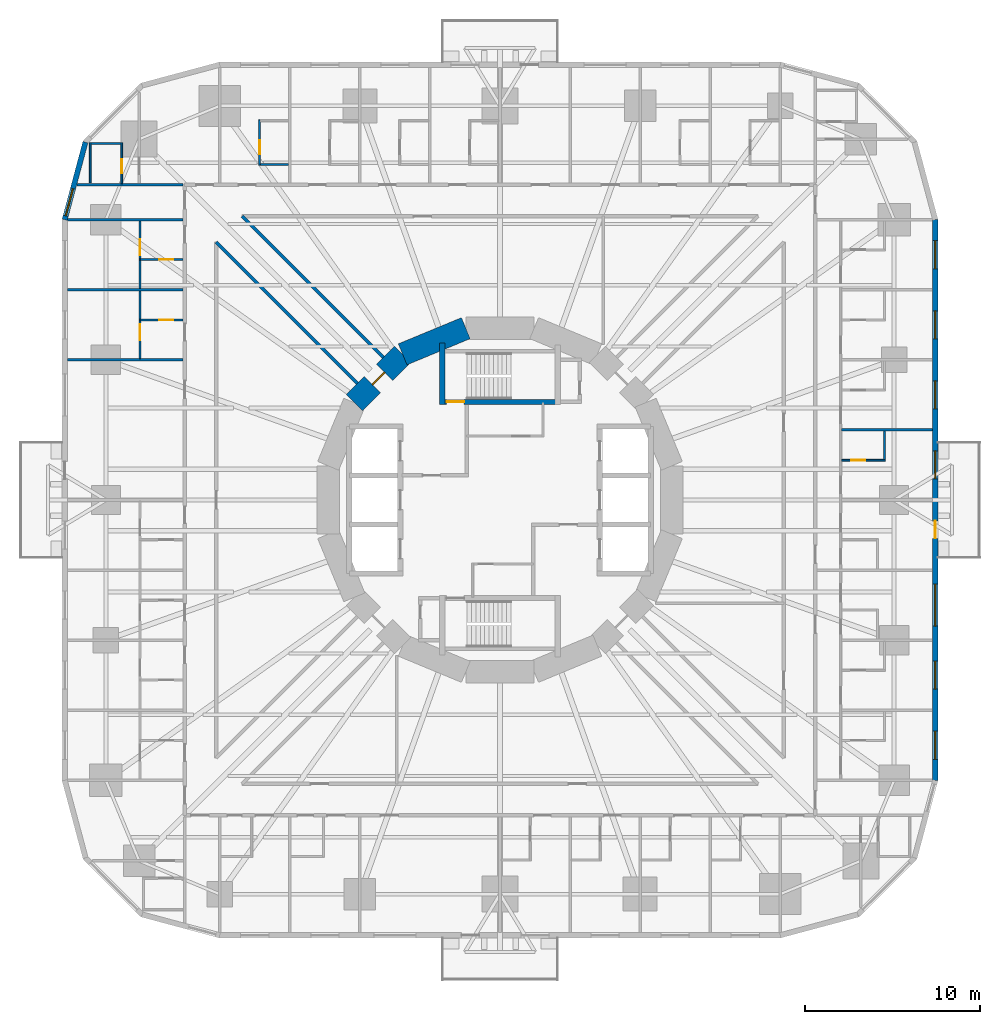
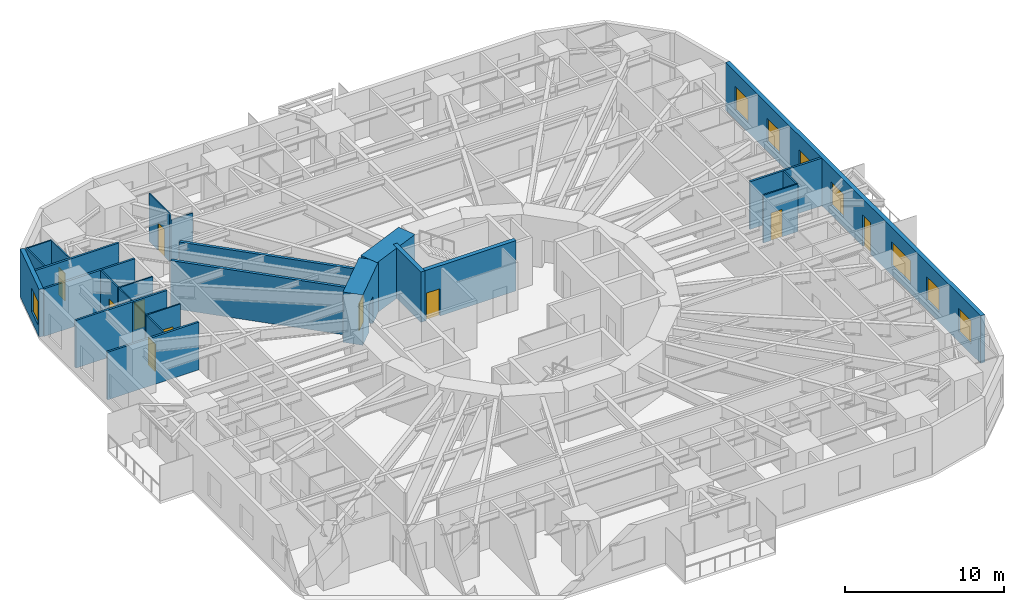
# One storey, part 9 of 14: 26 walls, 10 doors, 8 windows, 18 openings.
"""IFC4 building model written with IfcOpenShell, lengths in metres."""

import ifcopenshell
import ifcopenshell.guid

model = None  # the IFC model being written
_history = None  # IfcOwnerHistory: only IFC2X3 demands one
_inside = {}  # id of a spatial element -> (the spatial element, [elements in it])
_under = {}  # id of a project, library or spatial element -> (it, [spatial elements below it])
_declared = {}  # id of a project -> (the project, [libraries it declares])
_typed = {}  # id of a type object -> (the type object, [elements of that type])
_made_of = {}  # id of a material, layer set ... -> (it, [elements and type objects made of it])


def new_model(schema):
    """Start an empty IFC model of exactly this schema.

    Asked for "IFC4X3", IfcOpenShell would pick the latest addendum, in which some entities
    have other attributes; the version numbers below select the first issue.
    IFC2X3 requires an IfcOwnerHistory on every rooted entity: one is made here for all.
    """
    global model, _history
    if schema == "IFC4X3":
        model = ifcopenshell.file(schema_version=(4, 3, 0, 0))
    else:
        model = ifcopenshell.file(schema=schema)
    _inside.clear()
    _under.clear()
    _declared.clear()
    _typed.clear()
    _made_of.clear()
    _history = None
    if model.schema == "IFC2X3":
        org = make("IfcOrganization", Name="unknown")
        user = make(
            "IfcPersonAndOrganization",
            ThePerson=make("IfcPerson", FamilyName="unknown"),
            TheOrganization=org,
        )
        app = make(
            "IfcApplication",
            ApplicationDeveloper=org,
            Version="unknown",
            ApplicationFullName="unknown",
            ApplicationIdentifier="unknown",
        )
        _history = make(
            "IfcOwnerHistory",
            OwningUser=user,
            OwningApplication=app,
            ChangeAction="ADDED",
            CreationDate=0,
        )
    return model


def make(cls, **values):
    """One entity of the class cls with the attributes given. An attribute that is None is left unset."""
    return model.create_entity(
        cls, **{name: value for name, value in values.items() if value is not None}
    )


def rooted(cls, **values):
    """An entity with a GlobalId (a new one), such as an element, a storey or a relation."""
    return make(cls, GlobalId=ifcopenshell.guid.new(), OwnerHistory=_history, **values)


def si_unit(unit_type, name, prefix=None):
    """IfcSIUnit, for example si_unit("LENGTHUNIT", "METRE", prefix="MILLI")."""
    return make("IfcSIUnit", UnitType=unit_type, Prefix=prefix, Name=name)


def assignment(units):
    """IfcUnitAssignment: the units of a project."""
    return None if units is None else make("IfcUnitAssignment", Units=units)


def point(xyz):
    """IfcCartesianPoint."""
    return None if xyz is None else make("IfcCartesianPoint", Coordinates=xyz)


def direction(xyz):
    """IfcDirection."""
    return None if xyz is None else make("IfcDirection", DirectionRatios=xyz)


def frame(location, z_axis=None, x_axis=None):
    """IfcAxis2Placement3D, a coordinate frame: its origin and axes. An axis left out is left unset."""
    return make(
        "IfcAxis2Placement3D",
        Location=point(location),
        Axis=direction(z_axis),
        RefDirection=direction(x_axis),
    )


def frame_2d(location, x_axis=None):
    """IfcAxis2Placement2D, a coordinate frame in the plane: its origin and x axis."""
    return make(
        "IfcAxis2Placement2D", Location=point(location), RefDirection=direction(x_axis)
    )


def origin():
    """The frame at (0, 0, 0) with its axes left unset."""
    return frame((0.0, 0.0, 0.0))


def place(relative_to, where):
    """IfcLocalPlacement: puts the frame where relative to a parent placement (None: the world)."""
    return make(
        "IfcLocalPlacement", PlacementRelTo=relative_to, RelativePlacement=where
    )


def context(
    kind, dimensions, precision=None, world=None, true_north=None, identifier=None
):
    """IfcGeometricRepresentationContext, for example the 3D "Model" context."""
    return make(
        "IfcGeometricRepresentationContext",
        ContextIdentifier=identifier,
        ContextType=kind,
        CoordinateSpaceDimension=dimensions,
        Precision=precision,
        WorldCoordinateSystem=world,
        TrueNorth=true_north,
    )


def subcontext(parent, identifier, kind, view, scale=None):
    """IfcGeometricRepresentationSubContext, for example "Body" below "Model"."""
    return make(
        "IfcGeometricRepresentationSubContext",
        ContextIdentifier=identifier,
        ContextType=kind,
        ParentContext=parent,
        TargetScale=scale,
        TargetView=view,
    )


def project(units=None, contexts=None):
    """IfcProject with its units and contexts."""
    return rooted(
        "IfcProject",
        Name="project",
        RepresentationContexts=contexts,
        UnitsInContext=assignment(units),
    )


def spatial(cls, under=None, at=None, **own):
    """A site, building, storey or space (cls), placed at a placement, below another one or the project."""
    s = rooted(cls, ObjectPlacement=at, **own)
    if under is not None:
        _under.setdefault(under.id(), (under, []))[1].append(s)
    return s


def profile(cls, at=None, kind="AREA", **sizes):
    """A parametric profile (cls). Its sizes go by their IFC names, for example OverallWidth=200.0."""
    return make(cls, ProfileType=kind, Position=at, **sizes)


def rectangle(**sizes):
    """IfcRectangleProfileDef."""
    return profile("IfcRectangleProfileDef", **sizes)


def extrude(swept, where, along, depth):
    """IfcExtrudedAreaSolid: the profile swept, set in the frame where, extruded along a direction by depth."""
    return make(
        "IfcExtrudedAreaSolid",
        SweptArea=swept,
        Position=where,
        ExtrudedDirection=direction(along),
        Depth=depth,
    )


def shape(context_of_items, identifier, shape_type, items):
    """IfcShapeRepresentation: the items that make up one representation, for example the "Body"."""
    return make(
        "IfcShapeRepresentation",
        ContextOfItems=context_of_items,
        RepresentationIdentifier=identifier,
        RepresentationType=shape_type,
        Items=items,
    )


def material(Name=None, Category=None):
    """IfcMaterial."""
    return make("IfcMaterial", Name=Name, Category=Category)


def layer(
    of_material, thickness, ventilated=None, Name=None, Category=None, Priority=None
):
    """IfcMaterialLayer: one layer of a wall or slab, of a material (None: an air gap)."""
    return make(
        "IfcMaterialLayer",
        Material=of_material,
        LayerThickness=thickness,
        IsVentilated=ventilated,
        Name=Name,
        Category=Category,
        Priority=Priority,
    )


def layer_set(layers, Name=None):
    """IfcMaterialLayerSet."""
    return make("IfcMaterialLayerSet", MaterialLayers=layers, LayerSetName=Name)


def made_of(thing, what):
    """Note that an element or type object is made of a material, layer set ...; save() writes the relation."""
    if what is not None:
        _made_of.setdefault(what.id(), (what, []))[1].append(thing)
    return thing


def type_object(cls, material=None, **own):
    """A type object (cls), such as IfcWallType, which elements share."""
    return made_of(rooted(cls, **own), material)


def element(
    cls,
    number,
    at=None,
    inside=None,
    cuts=None,
    type_object=None,
    material=None,
    context=None,
    identifier="Body",
    shape_type=None,
    held_by="IfcProductDefinitionShape",
    body=None,
    shapes=None,
    **own,
):
    """One element of the class cls, such as IfcWall. Its Tag is "e" and its number.

    at: its placement. inside: the storey or other place that contains it. cuts: it is an
    opening in that element (IfcRelVoidsElement). A single representation is given by context,
    identifier, shape_type and body (its items); several are given by shapes. held_by: the class
    of the entity that holds the representations. save() writes the other relations.
    """
    e = rooted(cls, Tag="e%d" % number, ObjectPlacement=at, **own)
    if body is not None:
        shapes = [shape(context, identifier, shape_type, body)]
    if shapes is not None:
        e.Representation = make(held_by, Representations=shapes)
    if inside is not None:
        _inside.setdefault(inside.id(), (inside, []))[1].append(e)
    if cuts is not None:
        rooted(
            "IfcRelVoidsElement", RelatingBuildingElement=cuts, RelatedOpeningElement=e
        )
    if type_object is not None:
        _typed.setdefault(type_object.id(), (type_object, []))[1].append(e)
    return made_of(e, material)


def fill(opening, filler):
    """IfcRelFillsElement: the door or window that sits in an opening."""
    return rooted(
        "IfcRelFillsElement",
        RelatingOpeningElement=opening,
        RelatedBuildingElement=filler,
    )


def aggregate(whole, parts):
    """IfcRelAggregates: a whole, such as a stair, and the parts it consists of."""
    return rooted("IfcRelAggregates", RelatingObject=whole, RelatedObjects=parts)


def save(model, path):
    """Write the relations noted so far, then the file.

    IfcRelAggregates (storeys below a building ...), IfcRelContainedInSpatialStructure (elements
    in a storey), IfcRelDefinesByType, IfcRelAssociatesMaterial and IfcRelDeclares: one each for
    every whole, place, type object, material and project.
    """
    for whole, parts in _under.values():
        aggregate(whole, parts)
    for where, things in _inside.values():
        rooted(
            "IfcRelContainedInSpatialStructure",
            RelatedElements=things,
            RelatingStructure=where,
        )
    for kind, things in _typed.values():
        rooted("IfcRelDefinesByType", RelatedObjects=things, RelatingType=kind)
    for what, things in _made_of.values():
        rooted("IfcRelAssociatesMaterial", RelatedObjects=things, RelatingMaterial=what)
    for by, libraries in _declared.values():
        rooted("IfcRelDeclares", RelatingContext=by, RelatedDefinitions=libraries)
    model.write(path)


model = new_model("IFC4")

# Units and contexts
model_context = context("Model", 3, precision=1e-05, world=origin(), true_north=direction((0.0, 1.0)))
body_context = subcontext(model_context, "Body", "Model", "MODEL_VIEW")
ifc_project = project(units=[si_unit("LENGTHUNIT", "METRE"), si_unit("AREAUNIT", "SQUARE_METRE"), si_unit("VOLUMEUNIT", "CUBIC_METRE"), si_unit("PLANEANGLEUNIT", "RADIAN"), si_unit("MASSUNIT", "GRAM", prefix="KILO")], contexts=[model_context])

# Site, building, storey
site_placement = place(None, origin())
site = spatial("IfcSite", under=ifc_project, at=site_placement, CompositionType="ELEMENT")
building_placement = place(site_placement, origin())
building = spatial("IfcBuilding", under=site, at=building_placement, Name="Nakasero Lantern House", CompositionType="ELEMENT")
storey_placement = place(building_placement, frame((0.0, 0.0, 46.800048828125)))
storey = spatial("IfcBuildingStorey", under=building, at=storey_placement, Name="L11", CompositionType="ELEMENT", Elevation=46.800048828125)

# Wall, opening, door
ifc_material_1 = material(Name="Concrete C50/60", Category="concrete")
ifc_layer_1 = layer(ifc_material_1, 0.300048828125)
ifc_layer_set_1 = layer_set([ifc_layer_1], Name="Core inner wall 300")
wall_type_1 = type_object("IfcWallType", Name="Core inner wall 300", PredefinedType="SHEAR", material=ifc_layer_set_1)
wall_1_placement = place(storey_placement, frame((-3.449951171875, 5.60009765625, 0.0), z_axis=(0.0, 0.0, 1.0), x_axis=(1.0, 0.0, 0.0)))
wall_1 = element("IfcWall", 1, at=wall_1_placement, inside=storey, type_object=wall_type_1, Name="Core inner wall L11 SN", PredefinedType="SHEAR", context=body_context, shape_type="SweptSolid", body=[
    extrude(rectangle(XDim=6.89990234375, YDim=0.300048828125, at=frame_2d((3.449951171875, 0.0))), origin(), (0.0, 0.0, 1.0), 3.849853515625),
])
opening_1_placement = place(wall_1_placement, frame((0.39990234375, 0.0, 0.0)))
opening_1 = element("IfcOpeningElement", 2, at=opening_1_placement, cuts=wall_1, Name="Opening D05", PredefinedType="OPENING", context=body_context, shape_type="SweptSolid", body=[
    extrude(rectangle(XDim=1.0, YDim=2.10009765625, at=frame_2d((0.5, 1.050048828125))), frame((0.0, 0.169921875, 0.0), z_axis=(0.0, -1.0, 0.0), x_axis=(1.0, 0.0, 0.0)), (0.0, 0.0, 1.0), 0.340087890625),
])
ifc_material_2 = material(Name="Timber C24", Category="wood")
door_type_1 = type_object("IfcDoorType", Name="Core door FD60S 1000", OperationType="SINGLE_SWING_LEFT", PredefinedType="DOOR", material=ifc_material_2)
door_1_placement = place(opening_1_placement, origin())
door_1 = element("IfcDoor", 3, at=door_1_placement, inside=storey, type_object=door_type_1, Name="Door L11 D-ST1", OperationType="SINGLE_SWING_LEFT", OverallHeight=2.10009765625, OverallWidth=1.0, PredefinedType="DOOR", context=body_context, shape_type="SweptSolid", body=[
    extrude(rectangle(XDim=1.0, YDim=2.10009765625, at=frame_2d((0.5, 1.050048828125))), frame((0.0, 0.02490234375, 0.0), z_axis=(0.0, -1.0, 0.0), x_axis=(1.0, 0.0, 0.0)), (0.0, 0.0, 1.0), 0.050048828125),
])
fill(opening_1, door_1)

# Walls
wall_2_placement = place(storey_placement, frame((-3.300048828125, 5.449951171875, 0.0), z_axis=(0.0, 0.0, 1.0), x_axis=(0.0, 1.0, 0.0)))
element("IfcWall", 4, at=wall_2_placement, inside=storey, type_object=wall_type_1, Name="Core inner wall L11 SNW", PredefinedType="SHEAR", context=body_context, shape_type="SweptSolid", body=[
    extrude(rectangle(XDim=3.5, YDim=0.300048828125, at=frame_2d((1.75, 0.0))), origin(), (0.0, 0.0, 1.0), 3.849853515625),
])
ifc_material_3 = material(Name="Concrete C50/60", Category="concrete")
ifc_layer_2 = layer(ifc_material_3, 1.300048828125)
ifc_layer_set_2 = layer_set([ifc_layer_2], Name="Core wall 1300")
wall_type_2 = type_object("IfcWallType", Name="Core wall 1300", PredefinedType="SHEAR", material=ifc_layer_set_2)
wall_3_placement = place(storey_placement, frame((-1.950927734375, 9.807861328125, 0.0), z_axis=(0.0, 0.0, 1.0), x_axis=(-0.923876507187, -0.382690736062, 0.0)))
element("IfcWall", 5, at=wall_3_placement, inside=storey, type_object=wall_type_2, Name="Core wall L11 facet 5", PredefinedType="SHEAR", context=body_context, shape_type="SweptSolid", body=[
    extrude(rectangle(XDim=3.90185546875, YDim=1.300048828125, at=frame_2d((1.950927734375, 0.0))), origin(), (0.0, 0.0, 1.0), 3.849853515625),
])

# Wall, opening, door
wall_4_placement = place(storey_placement, frame((-5.5556640625, 8.314697265625, 0.0), z_axis=(0.0, 0.0, 1.0), x_axis=(-0.707106781187, -0.707106781187, 0.0)))
wall_4 = element("IfcWall", 6, at=wall_4_placement, inside=storey, type_object=wall_type_2, Name="Core wall L11 facet 6", PredefinedType="SHEAR", context=body_context, shape_type="SweptSolid", body=[
    extrude(rectangle(XDim=3.90185546875, YDim=1.300048828125, at=frame_2d((1.950927734375, 0.0))), origin(), (0.0, 0.0, 1.0), 3.849853515625),
])
opening_2_placement = place(wall_4_placement, frame((1.450927734375, 0.0, 0.0)))
opening_2 = element("IfcOpeningElement", 7, at=opening_2_placement, cuts=wall_4, Name="Opening D05", PredefinedType="OPENING", context=body_context, shape_type="SweptSolid", body=[
    extrude(rectangle(XDim=1.0, YDim=2.10009765625, at=frame_2d((0.5, 1.050048828125))), frame((0.0, 0.669921875, 0.0), z_axis=(0.0, -1.0, 0.0), x_axis=(1.0, 0.0, 0.0)), (0.0, 0.0, 1.0), 1.340087890625),
])
door_2_placement = place(opening_2_placement, origin())
door_2 = element("IfcDoor", 8, at=door_2_placement, inside=storey, type_object=door_type_1, Name="Door L11 D-CORE06", OperationType="SINGLE_SWING_LEFT", OverallHeight=2.10009765625, OverallWidth=1.0, PredefinedType="DOOR", context=body_context, shape_type="SweptSolid", body=[
    extrude(rectangle(XDim=1.0, YDim=2.10009765625, at=frame_2d((0.5, 1.050048828125))), frame((0.0, 0.02490234375, 0.0), z_axis=(0.0, -1.0, 0.0), x_axis=(1.0, 0.0, 0.0)), (0.0, 0.0, 1.0), 0.050048828125),
])
fill(opening_2, door_2)

# Walls
ifc_material_4 = material(Name="Blockwork", Category="masonry")
ifc_layer_3 = layer(ifc_material_4, 0.199951171875)
ifc_layer_set_3 = layer_set([ifc_layer_3], Name="Corridor wall 200")
wall_type_3 = type_object("IfcWallType", Name="Corridor wall 200", PredefinedType="PARTITIONING", material=ifc_layer_set_3)
for number, where, z_axis, x_axis, name in (
    (9, (-8.13720703125, 6.65234375, 0.0), (0.0, 0.0, 1.0), (-0.707106781187, 0.707106781187, 0.0), "Corridor wall L11 PS06a"),
    (10, (-6.65234375, 8.13720703125, 0.0), (0.0, 0.0, 1.0), (-0.707106781187, 0.707106781187, 0.0), "Corridor wall L11 PS06b"),
):
    element("IfcWall", number, at=place(storey_placement, frame(where, z_axis=z_axis, x_axis=x_axis)), inside=storey, type_object=wall_type_3, Name=name, PredefinedType="PARTITIONING", context=body_context, shape_type="SweptSolid", body=[
        extrude(rectangle(XDim=11.40234375, YDim=0.199951171875, at=frame_2d((5.701171875, 0.0))), origin(), (0.0, 0.0, 1.0), 3.64990234375),
    ])

# Wall, opening, door
ifc_material_5 = material(Name="Blockwork", Category="masonry")
ifc_layer_4 = layer(ifc_material_5, 0.10009765625)
ifc_layer_set_4 = layer_set([ifc_layer_4], Name="En-suite wall 100")
wall_type_4 = type_object("IfcWallType", Name="En-suite wall 100", PredefinedType="PARTITIONING", material=ifc_layer_set_4)
wall_5_placement = place(storey_placement, frame((19.5, 2.27490234375, 0.0), z_axis=(0.0, 0.0, 1.0), x_axis=(1.0, 0.0, 0.0)))
wall_5 = element("IfcWall", 11, at=wall_5_placement, inside=storey, type_object=wall_type_4, Name="En-suite wall L11 ES0-05", PredefinedType="PARTITIONING", context=body_context, shape_type="SweptSolid", body=[
    extrude(rectangle(XDim=2.5, YDim=0.10009765625, at=frame_2d((1.25, 0.0))), origin(), (0.0, 0.0, 1.0), 3.64990234375),
])
opening_3_placement = place(wall_5_placement, frame((0.550048828125, 0.0, 0.0)))
opening_3 = element("IfcOpeningElement", 12, at=opening_3_placement, cuts=wall_5, Name="Opening D02", PredefinedType="OPENING", context=body_context, shape_type="SweptSolid", body=[
    extrude(rectangle(XDim=0.800048828125, YDim=2.10009765625, at=frame_2d((0.39990234375, 1.050048828125))), frame((0.0, 0.070068359375, 0.0), z_axis=(0.0, -1.0, 0.0), x_axis=(1.0, 0.0, 0.0)), (0.0, 0.0, 1.0), 0.14013671875),
])
ifc_material_6 = material(Name="Timber C24", Category="wood")
door_type_2 = type_object("IfcDoorType", Name="En-suite door 800", OperationType="SINGLE_SWING_RIGHT", PredefinedType="DOOR", material=ifc_material_6)
door_3_placement = place(opening_3_placement, origin())
door_3 = element("IfcDoor", 13, at=door_3_placement, inside=storey, type_object=door_type_2, Name="Door L11 DE0-05", OperationType="SINGLE_SWING_LEFT", OverallHeight=2.10009765625, OverallWidth=0.800048828125, PredefinedType="DOOR", context=body_context, shape_type="SweptSolid", body=[
    extrude(rectangle(XDim=0.800048828125, YDim=2.10009765625, at=frame_2d((0.39990234375, 1.050048828125))), frame((0.0, 0.02490234375, 0.0), z_axis=(0.0, -1.0, 0.0), x_axis=(1.0, 0.0, 0.0)), (0.0, 0.0, 1.0), 0.050048828125),
])
fill(opening_3, door_3)

# Wall
wall_6_placement = place(storey_placement, frame((21.949951171875, 2.324951171875, 0.0), z_axis=(0.0, 0.0, 1.0), x_axis=(0.0, 1.0, 0.0)))
element("IfcWall", 14, at=wall_6_placement, inside=storey, type_object=wall_type_4, Name="En-suite wall L11 EE0-05", PredefinedType="PARTITIONING", context=body_context, shape_type="SweptSolid", body=[
    extrude(rectangle(XDim=1.60009765625, YDim=0.10009765625, at=frame_2d((0.800048828125, 0.0))), origin(), (0.0, 0.0, 1.0), 3.64990234375),
])

# Wall, opening, door
wall_7_placement = place(storey_placement, frame((-13.72509765625, 19.10009765625, 0.0), z_axis=(0.0, 0.0, 1.0), x_axis=(0.0, 1.0, 0.0)))
wall_7 = element("IfcWall", 15, at=wall_7_placement, inside=storey, type_object=wall_type_4, Name="En-suite wall L11 ES1-08", PredefinedType="PARTITIONING", context=body_context, shape_type="SweptSolid", body=[
    extrude(rectangle(XDim=2.599853515625, YDim=0.10009765625, at=frame_2d((1.2998046875, 0.0))), origin(), (0.0, 0.0, 1.0), 3.64990234375),
])
opening_4_placement = place(wall_7_placement, frame((0.64990234375, 0.0, 0.0)))
opening_4 = element("IfcOpeningElement", 16, at=opening_4_placement, cuts=wall_7, Name="Opening D02", PredefinedType="OPENING", context=body_context, shape_type="SweptSolid", body=[
    extrude(rectangle(XDim=0.800048828125, YDim=2.10009765625, at=frame_2d((0.39990234375, 1.050048828125))), frame((0.0, 0.070068359375, 0.0), z_axis=(0.0, -1.0, 0.0), x_axis=(1.0, 0.0, 0.0)), (0.0, 0.0, 1.0), 0.14013671875),
])
door_4_placement = place(opening_4_placement, origin())
door_4 = element("IfcDoor", 17, at=door_4_placement, inside=storey, type_object=door_type_2, Name="Door L11 DE1-08", OperationType="SINGLE_SWING_LEFT", OverallHeight=2.10009765625, OverallWidth=0.800048828125, PredefinedType="DOOR", context=body_context, shape_type="SweptSolid", body=[
    extrude(rectangle(XDim=0.800048828125, YDim=2.10009765625, at=frame_2d((0.39990234375, 1.050048828125))), frame((0.0, 0.02490234375, 0.0), z_axis=(0.0, -1.0, 0.0), x_axis=(1.0, 0.0, 0.0)), (0.0, 0.0, 1.0), 0.050048828125),
])
fill(opening_4, door_4)

# Wall
wall_8_placement = place(storey_placement, frame((-12.074951171875, 19.14990234375, 0.0), z_axis=(0.0, 0.0, 1.0), x_axis=(-1.0, 0.0, 0.0)))
element("IfcWall", 18, at=wall_8_placement, inside=storey, type_object=wall_type_4, Name="En-suite wall L11 EI1-08", PredefinedType="PARTITIONING", context=body_context, shape_type="SweptSolid", body=[
    extrude(rectangle(XDim=1.60009765625, YDim=0.10009765625, at=frame_2d((0.800048828125, 0.0))), origin(), (0.0, 0.0, 1.0), 3.12158203125),
])

# Wall, opening, door
wall_9_placement = place(storey_placement, frame((-21.59619140625, 18.06494140625, 0.0), z_axis=(0.0, 0.0, 1.0), x_axis=(0.0, 1.0, 0.0)))
wall_9 = element("IfcWall", 19, at=wall_9_placement, inside=storey, type_object=wall_type_4, Name="En-suite wall L11 ES1-09", PredefinedType="PARTITIONING", context=body_context, shape_type="SweptSolid", body=[
    extrude(rectangle(XDim=2.3349609375, YDim=0.10009765625, at=frame_2d((1.16748046875, 0.0))), origin(), (0.0, 0.0, 1.0), 3.64990234375),
])
opening_5_placement = place(wall_9_placement, frame((0.5849609375, 0.0, 0.0)))
opening_5 = element("IfcOpeningElement", 20, at=opening_5_placement, cuts=wall_9, Name="Opening D02", PredefinedType="OPENING", context=body_context, shape_type="SweptSolid", body=[
    extrude(rectangle(XDim=0.800048828125, YDim=2.10009765625, at=frame_2d((0.39990234375, 1.050048828125))), frame((0.0, 0.070068359375, 0.0), z_axis=(0.0, -1.0, 0.0), x_axis=(1.0, 0.0, 0.0)), (0.0, 0.0, 1.0), 0.14013671875),
])
door_5_placement = place(opening_5_placement, origin())
door_5 = element("IfcDoor", 21, at=door_5_placement, inside=storey, type_object=door_type_2, Name="Door L11 DE1-09", OperationType="SINGLE_SWING_LEFT", OverallHeight=2.10009765625, OverallWidth=0.800048828125, PredefinedType="DOOR", context=body_context, shape_type="SweptSolid", body=[
    extrude(rectangle(XDim=0.800048828125, YDim=2.10009765625, at=frame_2d((0.39990234375, 1.050048828125))), frame((0.0, 0.02490234375, 0.0), z_axis=(0.0, -1.0, 0.0), x_axis=(1.0, 0.0, 0.0)), (0.0, 0.0, 1.0), 0.050048828125),
])
fill(opening_5, door_5)

# Walls
wall_10_placement = place(storey_placement, frame((-21.646240234375, 20.35009765625, 0.0), z_axis=(0.0, 0.0, 1.0), x_axis=(-1.0, 0.0, 0.0)))
element("IfcWall", 22, at=wall_10_placement, inside=storey, type_object=wall_type_4, Name="En-suite wall L11 EE1-09", PredefinedType="PARTITIONING", context=body_context, shape_type="SweptSolid", body=[
    extrude(rectangle(XDim=1.699951171875, YDim=0.10009765625, at=frame_2d((0.85009765625, 0.0))), origin(), (0.0, 0.0, 1.0), 3.64990234375),
])
wall_11_placement = place(storey_placement, frame((-23.396240234375, 18.10009765625, 0.0), z_axis=(0.0, 0.0, 1.0), x_axis=(0.0, 1.0, 0.0)))
element("IfcWall", 23, at=wall_11_placement, inside=storey, type_object=wall_type_4, Name="En-suite wall L11 EV1-09", PredefinedType="PARTITIONING", context=body_context, shape_type="SweptSolid", body=[
    extrude(rectangle(XDim=2.2998046875, YDim=0.10009765625, at=frame_2d((1.14990234375, 0.0))), origin(), (0.0, 0.0, 1.0), 3.64990234375),
])

# Wall, opening, door
wall_12_placement = place(storey_placement, frame((-18.10009765625, 13.72509765625, 0.0), z_axis=(0.0, 0.0, 1.0), x_axis=(-1.0, 0.0, 0.0)))
wall_12 = element("IfcWall", 24, at=wall_12_placement, inside=storey, type_object=wall_type_4, Name="En-suite wall L11 ES2-01", PredefinedType="PARTITIONING", context=body_context, shape_type="SweptSolid", body=[
    extrude(rectangle(XDim=2.5, YDim=0.10009765625, at=frame_2d((1.25, 0.0))), origin(), (0.0, 0.0, 1.0), 3.64990234375),
])
opening_6_placement = place(wall_12_placement, frame((0.550048828125, 0.0, 0.0)))
opening_6 = element("IfcOpeningElement", 25, at=opening_6_placement, cuts=wall_12, Name="Opening D02", PredefinedType="OPENING", context=body_context, shape_type="SweptSolid", body=[
    extrude(rectangle(XDim=0.800048828125, YDim=2.10009765625, at=frame_2d((0.39990234375, 1.050048828125))), frame((0.0, 0.070068359375, 0.0), z_axis=(0.0, -1.0, 0.0), x_axis=(1.0, 0.0, 0.0)), (0.0, 0.0, 1.0), 0.14013671875),
])
door_6_placement = place(opening_6_placement, origin())
door_6 = element("IfcDoor", 26, at=door_6_placement, inside=storey, type_object=door_type_2, Name="Door L11 DE2-01", OperationType="SINGLE_SWING_LEFT", OverallHeight=2.10009765625, OverallWidth=0.800048828125, PredefinedType="DOOR", context=body_context, shape_type="SweptSolid", body=[
    extrude(rectangle(XDim=0.800048828125, YDim=2.10009765625, at=frame_2d((0.39990234375, 1.050048828125))), frame((0.0, 0.02490234375, 0.0), z_axis=(0.0, -1.0, 0.0), x_axis=(1.0, 0.0, 0.0)), (0.0, 0.0, 1.0), 0.050048828125),
])
fill(opening_6, door_6)

# Wall
wall_13_placement = place(storey_placement, frame((-20.550048828125, 13.675048828125, 0.0), z_axis=(0.0, 0.0, 1.0), x_axis=(0.0, -1.0, 0.0)))
element("IfcWall", 27, at=wall_13_placement, inside=storey, type_object=wall_type_4, Name="En-suite wall L11 EE2-01", PredefinedType="PARTITIONING", context=body_context, shape_type="SweptSolid", body=[
    extrude(rectangle(XDim=1.60009765625, YDim=0.10009765625, at=frame_2d((0.800048828125, 0.0))), origin(), (0.0, 0.0, 1.0), 3.64990234375),
])

# Wall, opening, door
wall_14_placement = place(storey_placement, frame((-18.10009765625, 10.27490234375, 0.0), z_axis=(0.0, 0.0, 1.0), x_axis=(-1.0, 0.0, 0.0)))
wall_14 = element("IfcWall", 28, at=wall_14_placement, inside=storey, type_object=wall_type_4, Name="En-suite wall L11 ES2-02", PredefinedType="PARTITIONING", context=body_context, shape_type="SweptSolid", body=[
    extrude(rectangle(XDim=2.5, YDim=0.10009765625, at=frame_2d((1.25, 0.0))), origin(), (0.0, 0.0, 1.0), 3.64990234375),
])
opening_7_placement = place(wall_14_placement, frame((0.550048828125, 0.0, 0.0)))
opening_7 = element("IfcOpeningElement", 29, at=opening_7_placement, cuts=wall_14, Name="Opening D02", PredefinedType="OPENING", context=body_context, shape_type="SweptSolid", body=[
    extrude(rectangle(XDim=0.800048828125, YDim=2.10009765625, at=frame_2d((0.39990234375, 1.050048828125))), frame((0.0, 0.070068359375, 0.0), z_axis=(0.0, -1.0, 0.0), x_axis=(1.0, 0.0, 0.0)), (0.0, 0.0, 1.0), 0.14013671875),
])
door_7_placement = place(opening_7_placement, origin())
door_7 = element("IfcDoor", 30, at=door_7_placement, inside=storey, type_object=door_type_2, Name="Door L11 DE2-02", OperationType="SINGLE_SWING_LEFT", OverallHeight=2.10009765625, OverallWidth=0.800048828125, PredefinedType="DOOR", context=body_context, shape_type="SweptSolid", body=[
    extrude(rectangle(XDim=0.800048828125, YDim=2.10009765625, at=frame_2d((0.39990234375, 1.050048828125))), frame((0.0, 0.02490234375, 0.0), z_axis=(0.0, -1.0, 0.0), x_axis=(1.0, 0.0, 0.0)), (0.0, 0.0, 1.0), 0.050048828125),
])
fill(opening_7, door_7)

# Wall
wall_15_placement = place(storey_placement, frame((-20.550048828125, 11.925048828125, 0.0), z_axis=(0.0, 0.0, 1.0), x_axis=(0.0, -1.0, 0.0)))
element("IfcWall", 31, at=wall_15_placement, inside=storey, type_object=wall_type_4, Name="En-suite wall L11 EE2-02", PredefinedType="PARTITIONING", context=body_context, shape_type="SweptSolid", body=[
    extrude(rectangle(XDim=1.60009765625, YDim=0.10009765625, at=frame_2d((0.800048828125, 0.0))), origin(), (0.0, 0.0, 1.0), 3.64990234375),
])

# Wall, opening, door
wall_16_placement = place(storey_placement, frame((-20.550048828125, 15.925048828125, 0.0), z_axis=(0.0, 0.0, 1.0), x_axis=(0.0, -1.0, 0.0)))
wall_16 = element("IfcWall", 32, at=wall_16_placement, inside=storey, type_object=wall_type_4, Name="En-suite wall L11 EL2-01", PredefinedType="PARTITIONING", context=body_context, shape_type="SweptSolid", body=[
    extrude(rectangle(XDim=2.150146484375, YDim=0.10009765625, at=frame_2d((1.0751953125, 0.0))), origin(), (0.0, 0.0, 1.0), 3.64990234375),
])
opening_8_placement = place(wall_16_placement, frame((1.050048828125, 0.0, 0.0)))
opening_8 = element("IfcOpeningElement", 33, at=opening_8_placement, cuts=wall_16, Name="Opening D17", PredefinedType="OPENING", context=body_context, shape_type="SweptSolid", body=[
    extrude(rectangle(XDim=0.89990234375, YDim=2.10009765625, at=frame_2d((0.449951171875, 1.050048828125))), frame((0.0, 0.070068359375, 0.0), z_axis=(0.0, -1.0, 0.0), x_axis=(1.0, 0.0, 0.0)), (0.0, 0.0, 1.0), 0.14013671875),
])
ifc_material_7 = material(Name="Timber C24", Category="wood")
door_type_3 = type_object("IfcDoorType", Name="Bedroom door FD30S 900", OperationType="SINGLE_SWING_LEFT", PredefinedType="DOOR", material=ifc_material_7)
door_8_placement = place(opening_8_placement, origin())
door_8 = element("IfcDoor", 34, at=door_8_placement, inside=storey, type_object=door_type_3, Name="Door L11 DL2-01", OperationType="SINGLE_SWING_RIGHT", OverallHeight=2.10009765625, OverallWidth=0.89990234375, PredefinedType="DOOR", context=body_context, shape_type="SweptSolid", body=[
    extrude(rectangle(XDim=0.89990234375, YDim=2.10009765625, at=frame_2d((0.449951171875, 1.050048828125))), frame((0.0, 0.02490234375, 0.0), z_axis=(0.0, -1.0, 0.0), x_axis=(1.0, 0.0, 0.0)), (0.0, 0.0, 1.0), 0.050048828125),
])
fill(opening_8, door_8)

wall_17_placement = place(storey_placement, frame((-20.550048828125, 10.22509765625, 0.0), z_axis=(0.0, 0.0, 1.0), x_axis=(0.0, -1.0, 0.0)))
wall_17 = element("IfcWall", 35, at=wall_17_placement, inside=storey, type_object=wall_type_4, Name="En-suite wall L11 EL2-02", PredefinedType="PARTITIONING", context=body_context, shape_type="SweptSolid", body=[
    extrude(rectangle(XDim=2.150146484375, YDim=0.10009765625, at=frame_2d((1.0751953125, 0.0))), origin(), (0.0, 0.0, 1.0), 3.64990234375),
])
opening_9_placement = place(wall_17_placement, frame((0.199951171875, 0.0, 0.0)))
opening_9 = element("IfcOpeningElement", 36, at=opening_9_placement, cuts=wall_17, Name="Opening D17", PredefinedType="OPENING", context=body_context, shape_type="SweptSolid", body=[
    extrude(rectangle(XDim=0.89990234375, YDim=2.10009765625, at=frame_2d((0.449951171875, 1.050048828125))), frame((0.0, 0.070068359375, 0.0), z_axis=(0.0, -1.0, 0.0), x_axis=(1.0, 0.0, 0.0)), (0.0, 0.0, 1.0), 0.14013671875),
])
door_9_placement = place(opening_9_placement, origin())
door_9 = element("IfcDoor", 37, at=door_9_placement, inside=storey, type_object=door_type_3, Name="Door L11 DL2-02", OperationType="SINGLE_SWING_LEFT", OverallHeight=2.10009765625, OverallWidth=0.89990234375, PredefinedType="DOOR", context=body_context, shape_type="SweptSolid", body=[
    extrude(rectangle(XDim=0.89990234375, YDim=2.10009765625, at=frame_2d((0.449951171875, 1.050048828125))), frame((0.0, 0.02490234375, 0.0), z_axis=(0.0, -1.0, 0.0), x_axis=(1.0, 0.0, 0.0)), (0.0, 0.0, 1.0), 0.050048828125),
])
fill(opening_9, door_9)

# Wall, openings, door, windows
ifc_material_8 = material(Name="Aluminium rainscreen on blockwork", Category="masonry")
ifc_layer_5 = layer(ifc_material_8, 0.300048828125)
ifc_layer_set_5 = layer_set([ifc_layer_5], Name="Facade wall 300")
wall_type_5 = type_object("IfcWallType", Name="Facade wall 300", PredefinedType="SOLIDWALL", material=ifc_layer_set_5)
wall_18_placement = place(storey_placement, frame((24.85009765625, -16.0, 0.0), z_axis=(0.0, 0.0, 1.0), x_axis=(0.0, 1.0, 0.0)))
wall_18 = element("IfcWall", 38, at=wall_18_placement, inside=storey, type_object=wall_type_5, Name="Facade wall L11 FW0S", PredefinedType="SOLIDWALL", context=body_context, shape_type="SweptSolid", body=[
    extrude(rectangle(XDim=32.0, YDim=0.300048828125, at=frame_2d((16.0, 0.0))), origin(), (0.0, 0.0, 1.0), 3.64990234375),
])
opening_10_placement = place(wall_18_placement, frame((1.199951171875, 0.0, 0.75)))
opening_10 = element("IfcOpeningElement", 39, at=opening_10_placement, cuts=wall_18, Name="Opening W01", PredefinedType="OPENING", context=body_context, shape_type="SweptSolid", body=[
    extrude(rectangle(XDim=1.60009765625, YDim=1.800048828125, at=frame_2d((0.800048828125, 0.89990234375))), frame((0.0, 0.169921875, 0.0), z_axis=(0.0, -1.0, 0.0), x_axis=(1.0, 0.0, 0.0)), (0.0, 0.0, 1.0), 0.340087890625),
])
opening_11_placement = place(wall_18_placement, frame((5.199951171875, 0.0, 0.75)))
opening_11 = element("IfcOpeningElement", 40, at=opening_11_placement, cuts=wall_18, Name="Opening W01", PredefinedType="OPENING", context=body_context, shape_type="SweptSolid", body=[
    extrude(rectangle(XDim=1.60009765625, YDim=1.800048828125, at=frame_2d((0.800048828125, 0.89990234375))), frame((0.0, 0.169921875, 0.0), z_axis=(0.0, -1.0, 0.0), x_axis=(1.0, 0.0, 0.0)), (0.0, 0.0, 1.0), 0.340087890625),
])
opening_12_placement = place(wall_18_placement, frame((17.199951171875, 0.0, 0.75)))
opening_12 = element("IfcOpeningElement", 41, at=opening_12_placement, cuts=wall_18, Name="Opening W01", PredefinedType="OPENING", context=body_context, shape_type="SweptSolid", body=[
    extrude(rectangle(XDim=1.60009765625, YDim=1.800048828125, at=frame_2d((0.800048828125, 0.89990234375))), frame((0.0, 0.169921875, 0.0), z_axis=(0.0, -1.0, 0.0), x_axis=(1.0, 0.0, 0.0)), (0.0, 0.0, 1.0), 0.340087890625),
])
opening_13_placement = place(wall_18_placement, frame((21.199951171875, 0.0, 0.75)))
opening_13 = element("IfcOpeningElement", 42, at=opening_13_placement, cuts=wall_18, Name="Opening W01", PredefinedType="OPENING", context=body_context, shape_type="SweptSolid", body=[
    extrude(rectangle(XDim=1.60009765625, YDim=1.800048828125, at=frame_2d((0.800048828125, 0.89990234375))), frame((0.0, 0.169921875, 0.0), z_axis=(0.0, -1.0, 0.0), x_axis=(1.0, 0.0, 0.0)), (0.0, 0.0, 1.0), 0.340087890625),
])
opening_14_placement = place(wall_18_placement, frame((25.199951171875, 0.0, 0.75)))
opening_14 = element("IfcOpeningElement", 43, at=opening_14_placement, cuts=wall_18, Name="Opening W01", PredefinedType="OPENING", context=body_context, shape_type="SweptSolid", body=[
    extrude(rectangle(XDim=1.60009765625, YDim=1.800048828125, at=frame_2d((0.800048828125, 0.89990234375))), frame((0.0, 0.169921875, 0.0), z_axis=(0.0, -1.0, 0.0), x_axis=(1.0, 0.0, 0.0)), (0.0, 0.0, 1.0), 0.340087890625),
])
opening_15_placement = place(wall_18_placement, frame((29.199951171875, 0.0, 0.75)))
opening_15 = element("IfcOpeningElement", 44, at=opening_15_placement, cuts=wall_18, Name="Opening W01", PredefinedType="OPENING", context=body_context, shape_type="SweptSolid", body=[
    extrude(rectangle(XDim=1.60009765625, YDim=1.800048828125, at=frame_2d((0.800048828125, 0.89990234375))), frame((0.0, 0.169921875, 0.0), z_axis=(0.0, -1.0, 0.0), x_axis=(1.0, 0.0, 0.0)), (0.0, 0.0, 1.0), 0.340087890625),
])
opening_16_placement = place(wall_18_placement, frame((8.800048828125, 0.0, 0.75)))
opening_16 = element("IfcOpeningElement", 45, at=opening_16_placement, cuts=wall_18, Name="Opening W03", PredefinedType="OPENING", context=body_context, shape_type="SweptSolid", body=[
    extrude(rectangle(XDim=2.39990234375, YDim=1.800048828125, at=frame_2d((1.199951171875, 0.89990234375))), frame((0.0, 0.169921875, 0.0), z_axis=(0.0, -1.0, 0.0), x_axis=(1.0, 0.0, 0.0)), (0.0, 0.0, 1.0), 0.340087890625),
])
opening_17_placement = place(wall_18_placement, frame((13.8125, 0.0, 0.0)))
opening_17 = element("IfcOpeningElement", 46, at=opening_17_placement, cuts=wall_18, Name="Opening D04", PredefinedType="OPENING", context=body_context, shape_type="SweptSolid", body=[
    extrude(rectangle(XDim=1.0, YDim=2.39990234375, at=frame_2d((0.5, 1.199951171875))), frame((0.0, 0.169921875, 0.0), z_axis=(0.0, -1.0, 0.0), x_axis=(1.0, 0.0, 0.0)), (0.0, 0.0, 1.0), 0.340087890625),
])
ifc_material_9 = material(Name="Aluminium 6063-T6 and glass", Category="aluminium")
door_type_4 = type_object("IfcDoorType", Name="Balcony door 1000x2400", OperationType="SINGLE_SWING_RIGHT", PredefinedType="DOOR", material=ifc_material_9)
door_10_placement = place(opening_17_placement, origin())
door_10 = element("IfcDoor", 47, at=door_10_placement, inside=storey, type_object=door_type_4, Name="Balcony door L11 DB0", OperationType="SINGLE_SWING_RIGHT", OverallHeight=2.39990234375, OverallWidth=1.0, PredefinedType="DOOR", context=body_context, shape_type="SweptSolid", body=[
    extrude(rectangle(XDim=1.0, YDim=2.39990234375, at=frame_2d((0.5, 1.199951171875))), frame((0.0, 0.02490234375, 0.0), z_axis=(0.0, -1.0, 0.0), x_axis=(1.0, 0.0, 0.0)), (0.0, 0.0, 1.0), 0.050048828125),
])
fill(opening_17, door_10)
ifc_material_10 = material(Name="Aluminium 6063-T6 and glass", Category="aluminium")
window_type_1 = type_object("IfcWindowType", Name="Bedroom window 1600x1800", PartitioningType="SINGLE_PANEL", PredefinedType="WINDOW", material=ifc_material_10)
window_1_placement = place(opening_10_placement, origin())
window_1 = element("IfcWindow", 48, at=window_1_placement, inside=storey, type_object=window_type_1, Name="Window L11 WN0-01", OverallHeight=1.800048828125, OverallWidth=1.60009765625, PartitioningType="SINGLE_PANEL", PredefinedType="WINDOW", context=body_context, shape_type="SweptSolid", body=[
    extrude(rectangle(XDim=1.60009765625, YDim=1.800048828125, at=frame_2d((0.800048828125, 0.89990234375))), frame((0.0, 0.030029296875, 0.0), z_axis=(0.0, -1.0, 0.0), x_axis=(1.0, 0.0, 0.0)), (0.0, 0.0, 1.0), 0.06005859375),
])
fill(opening_10, window_1)
window_2_placement = place(opening_11_placement, origin())
window_2 = element("IfcWindow", 49, at=window_2_placement, inside=storey, type_object=window_type_1, Name="Window L11 WN0-02", OverallHeight=1.800048828125, OverallWidth=1.60009765625, PartitioningType="SINGLE_PANEL", PredefinedType="WINDOW", context=body_context, shape_type="SweptSolid", body=[
    extrude(rectangle(XDim=1.60009765625, YDim=1.800048828125, at=frame_2d((0.800048828125, 0.89990234375))), frame((0.0, 0.030029296875, 0.0), z_axis=(0.0, -1.0, 0.0), x_axis=(1.0, 0.0, 0.0)), (0.0, 0.0, 1.0), 0.06005859375),
])
fill(opening_11, window_2)
window_3_placement = place(opening_12_placement, origin())
window_3 = element("IfcWindow", 50, at=window_3_placement, inside=storey, type_object=window_type_1, Name="Window L11 WN0-05", OverallHeight=1.800048828125, OverallWidth=1.60009765625, PartitioningType="SINGLE_PANEL", PredefinedType="WINDOW", context=body_context, shape_type="SweptSolid", body=[
    extrude(rectangle(XDim=1.60009765625, YDim=1.800048828125, at=frame_2d((0.800048828125, 0.89990234375))), frame((0.0, 0.030029296875, 0.0), z_axis=(0.0, -1.0, 0.0), x_axis=(1.0, 0.0, 0.0)), (0.0, 0.0, 1.0), 0.06005859375),
])
fill(opening_12, window_3)
window_4_placement = place(opening_13_placement, origin())
window_4 = element("IfcWindow", 51, at=window_4_placement, inside=storey, type_object=window_type_1, Name="Window L11 WN0-06", OverallHeight=1.800048828125, OverallWidth=1.60009765625, PartitioningType="SINGLE_PANEL", PredefinedType="WINDOW", context=body_context, shape_type="SweptSolid", body=[
    extrude(rectangle(XDim=1.60009765625, YDim=1.800048828125, at=frame_2d((0.800048828125, 0.89990234375))), frame((0.0, 0.030029296875, 0.0), z_axis=(0.0, -1.0, 0.0), x_axis=(1.0, 0.0, 0.0)), (0.0, 0.0, 1.0), 0.06005859375),
])
fill(opening_13, window_4)
window_5_placement = place(opening_14_placement, origin())
window_5 = element("IfcWindow", 52, at=window_5_placement, inside=storey, type_object=window_type_1, Name="Window L11 WN0-07", OverallHeight=1.800048828125, OverallWidth=1.60009765625, PartitioningType="SINGLE_PANEL", PredefinedType="WINDOW", context=body_context, shape_type="SweptSolid", body=[
    extrude(rectangle(XDim=1.60009765625, YDim=1.800048828125, at=frame_2d((0.800048828125, 0.89990234375))), frame((0.0, 0.030029296875, 0.0), z_axis=(0.0, -1.0, 0.0), x_axis=(1.0, 0.0, 0.0)), (0.0, 0.0, 1.0), 0.06005859375),
])
fill(opening_14, window_5)
window_6_placement = place(opening_15_placement, origin())
window_6 = element("IfcWindow", 53, at=window_6_placement, inside=storey, type_object=window_type_1, Name="Window L11 WN0-08", OverallHeight=1.800048828125, OverallWidth=1.60009765625, PartitioningType="SINGLE_PANEL", PredefinedType="WINDOW", context=body_context, shape_type="SweptSolid", body=[
    extrude(rectangle(XDim=1.60009765625, YDim=1.800048828125, at=frame_2d((0.800048828125, 0.89990234375))), frame((0.0, 0.030029296875, 0.0), z_axis=(0.0, -1.0, 0.0), x_axis=(1.0, 0.0, 0.0)), (0.0, 0.0, 1.0), 0.06005859375),
])
fill(opening_15, window_6)
ifc_material_11 = material(Name="Aluminium 6063-T6 and glass", Category="aluminium")
window_type_2 = type_object("IfcWindowType", Name="Lounge window 2400x1800", PartitioningType="SINGLE_PANEL", PredefinedType="WINDOW", material=ifc_material_11)
window_7_placement = place(opening_16_placement, origin())
window_7 = element("IfcWindow", 54, at=window_7_placement, inside=storey, type_object=window_type_2, Name="Window L11 WK0", OverallHeight=1.800048828125, OverallWidth=2.39990234375, PartitioningType="SINGLE_PANEL", PredefinedType="WINDOW", context=body_context, shape_type="SweptSolid", body=[
    extrude(rectangle(XDim=2.39990234375, YDim=1.800048828125, at=frame_2d((1.199951171875, 0.89990234375))), frame((0.0, 0.030029296875, 0.0), z_axis=(0.0, -1.0, 0.0), x_axis=(1.0, 0.0, 0.0)), (0.0, 0.0, 1.0), 0.06005859375),
])
fill(opening_16, window_7)

# Wall, opening, window
wall_19_placement = place(storey_placement, frame((-23.664306640625, 20.425048828125, 0.0), z_axis=(0.0, 0.0, 1.0), x_axis=(-0.258839972501, -0.965920218567, 0.0)))
wall_19 = element("IfcWall", 55, at=wall_19_placement, inside=storey, type_object=wall_type_5, Name="Facade wall L11 FW1C3", PredefinedType="SOLIDWALL", context=body_context, shape_type="SweptSolid", body=[
    extrude(rectangle(XDim=4.5810546875, YDim=0.300048828125, at=frame_2d((2.29052734375, 0.0))), origin(), (0.0, 0.0, 1.0), 3.64990234375),
])
opening_18_placement = place(wall_19_placement, frame((2.74609375, 0.0, 0.75)))
opening_18 = element("IfcOpeningElement", 56, at=opening_18_placement, cuts=wall_19, Name="Opening W01", PredefinedType="OPENING", context=body_context, shape_type="SweptSolid", body=[
    extrude(rectangle(XDim=1.60009765625, YDim=1.800048828125, at=frame_2d((0.800048828125, 0.89990234375))), frame((0.0, 0.169921875, 0.0), z_axis=(0.0, -1.0, 0.0), x_axis=(1.0, 0.0, 0.0)), (0.0, 0.0, 1.0), 0.340087890625),
])
window_8_placement = place(opening_18_placement, origin())
window_8 = element("IfcWindow", 57, at=window_8_placement, inside=storey, type_object=window_type_1, Name="Window L11 WN2-00", OverallHeight=1.800048828125, OverallWidth=1.60009765625, PartitioningType="SINGLE_PANEL", PredefinedType="WINDOW", context=body_context, shape_type="SweptSolid", body=[
    extrude(rectangle(XDim=1.60009765625, YDim=1.800048828125, at=frame_2d((0.800048828125, 0.89990234375))), frame((0.0, 0.030029296875, 0.0), z_axis=(0.0, -1.0, 0.0), x_axis=(1.0, 0.0, 0.0)), (0.0, 0.0, 1.0), 0.06005859375),
])
fill(opening_18, window_8)

# Walls
ifc_material_12 = material(Name="Blockwork", Category="masonry")
ifc_layer_6 = layer(ifc_material_12, 0.14990234375)
ifc_layer_set_6 = layer_set([ifc_layer_6], Name="Party wall 150")
wall_type_6 = type_object("IfcWallType", Name="Party wall 150", PredefinedType="PARTITIONING", material=ifc_layer_set_6)
wall_20_placement = place(storey_placement, frame((19.5, 4.0, 0.0), z_axis=(0.0, 0.0, 1.0), x_axis=(1.0, 0.0, 0.0)))
element("IfcWall", 58, at=wall_20_placement, inside=storey, type_object=wall_type_6, Name="Party wall L11 PW0-06", PredefinedType="PARTITIONING", context=body_context, shape_type="SweptSolid", body=[
    extrude(rectangle(XDim=5.199951171875, YDim=0.14990234375, at=frame_2d((2.60009765625, 0.0))), origin(), (0.0, 0.0, 1.0), 3.64990234375),
])
wall_21_placement = place(storey_placement, frame((-18.10009765625, 18.0, 0.0), z_axis=(0.0, 0.0, 1.0), x_axis=(-1.0, 0.0, 0.0)))
element("IfcWall", 59, at=wall_21_placement, inside=storey, type_object=wall_type_6, Name="Party wall L11 PW2-00", PredefinedType="PARTITIONING", context=body_context, shape_type="SweptSolid", body=[
    extrude(rectangle(XDim=6.053466796875, YDim=0.14990234375, at=frame_2d((3.02685546875, 0.0))), origin(), (0.0, 0.0, 1.0), 3.64990234375),
])
wall_22_placement = place(storey_placement, frame((-18.10009765625, 16.0, 0.0), z_axis=(0.0, 0.0, 1.0), x_axis=(-1.0, 0.0, 0.0)))
element("IfcWall", 60, at=wall_22_placement, inside=storey, type_object=wall_type_6, Name="Party wall L11 PW2-01", PredefinedType="PARTITIONING", context=body_context, shape_type="SweptSolid", body=[
    extrude(rectangle(XDim=6.58935546875, YDim=0.14990234375, at=frame_2d((3.294677734375, 0.0))), origin(), (0.0, 0.0, 1.0), 3.64990234375),
])
for number, where, z_axis, x_axis, name in (
    (61, (-18.10009765625, 12.0, 0.0), (0.0, 0.0, 1.0), (-1.0, 0.0, 0.0), "Party wall L11 PW2-02"),
    (62, (-18.10009765625, 8.0, 0.0), (0.0, 0.0, 1.0), (-1.0, 0.0, 0.0), "Party wall L11 PW2-03"),
):
    element("IfcWall", number, at=place(storey_placement, frame(where, z_axis=z_axis, x_axis=x_axis)), inside=storey, type_object=wall_type_6, Name=name, PredefinedType="PARTITIONING", context=body_context, shape_type="SweptSolid", body=[
        extrude(rectangle(XDim=6.599853515625, YDim=0.14990234375, at=frame_2d((3.2998046875, 0.0))), origin(), (0.0, 0.0, 1.0), 3.64990234375),
    ])

save(model, "model.ifc")
